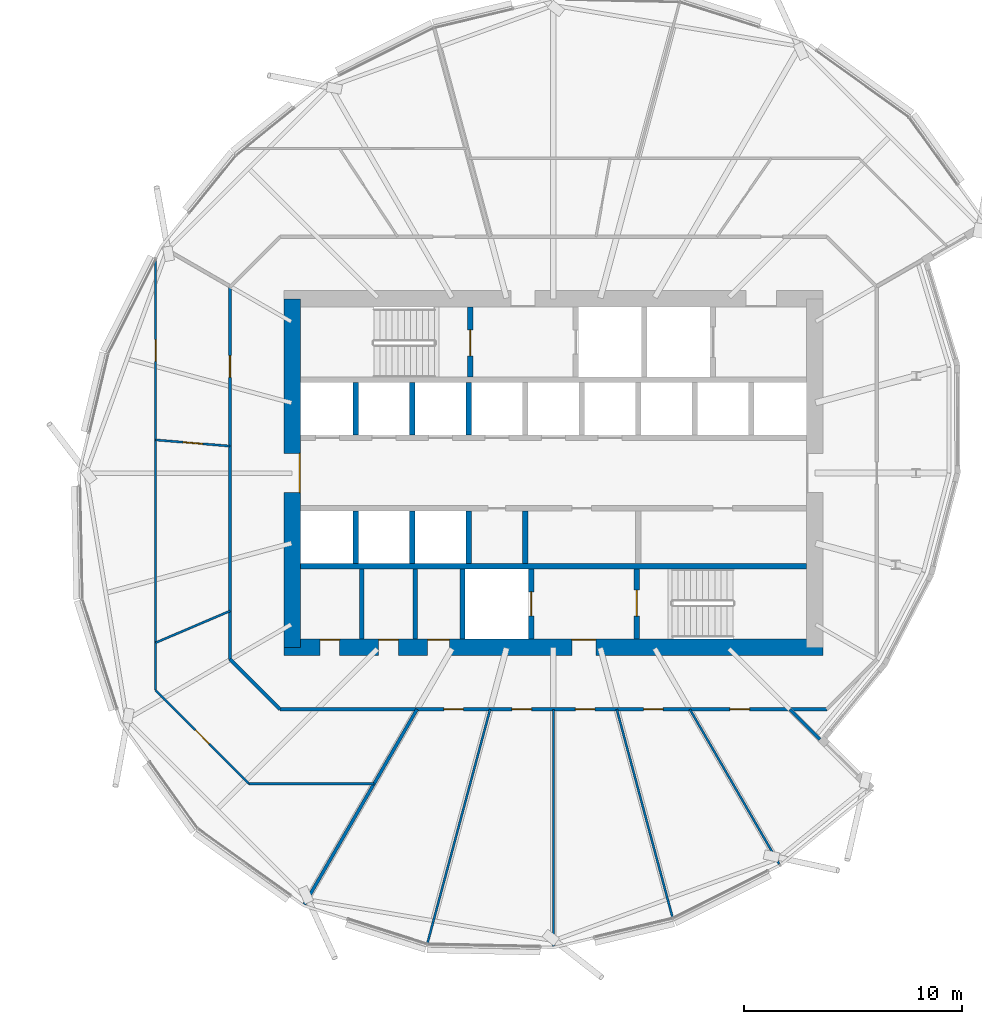
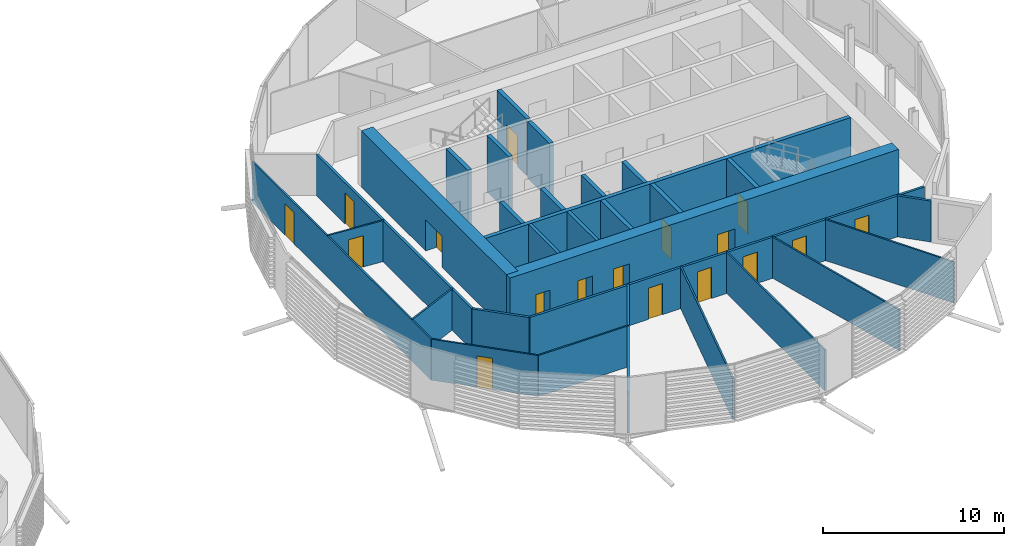
# One storey, part 23 of 38: 30 walls, 17 doors, 17 openings.
"""IFC4 building model written with IfcOpenShell, lengths in metres."""

import ifcopenshell
import ifcopenshell.guid

model = None  # the IFC model being written
_history = None  # IfcOwnerHistory: only IFC2X3 demands one
_inside = {}  # id of a spatial element -> (the spatial element, [elements in it])
_under = {}  # id of a project, library or spatial element -> (it, [spatial elements below it])
_declared = {}  # id of a project -> (the project, [libraries it declares])
_typed = {}  # id of a type object -> (the type object, [elements of that type])
_made_of = {}  # id of a material, layer set ... -> (it, [elements and type objects made of it])


def new_model(schema):
    """Start an empty IFC model of exactly this schema.

    Asked for "IFC4X3", IfcOpenShell would pick the latest addendum, in which some entities
    have other attributes; the version numbers below select the first issue.
    IFC2X3 requires an IfcOwnerHistory on every rooted entity: one is made here for all.
    """
    global model, _history
    if schema == "IFC4X3":
        model = ifcopenshell.file(schema_version=(4, 3, 0, 0))
    else:
        model = ifcopenshell.file(schema=schema)
    _inside.clear()
    _under.clear()
    _declared.clear()
    _typed.clear()
    _made_of.clear()
    _history = None
    if model.schema == "IFC2X3":
        org = make("IfcOrganization", Name="unknown")
        user = make(
            "IfcPersonAndOrganization",
            ThePerson=make("IfcPerson", FamilyName="unknown"),
            TheOrganization=org,
        )
        app = make(
            "IfcApplication",
            ApplicationDeveloper=org,
            Version="unknown",
            ApplicationFullName="unknown",
            ApplicationIdentifier="unknown",
        )
        _history = make(
            "IfcOwnerHistory",
            OwningUser=user,
            OwningApplication=app,
            ChangeAction="ADDED",
            CreationDate=0,
        )
    return model


def make(cls, **values):
    """One entity of the class cls with the attributes given. An attribute that is None is left unset."""
    return model.create_entity(
        cls, **{name: value for name, value in values.items() if value is not None}
    )


def rooted(cls, **values):
    """An entity with a GlobalId (a new one), such as an element, a storey or a relation."""
    return make(cls, GlobalId=ifcopenshell.guid.new(), OwnerHistory=_history, **values)


def si_unit(unit_type, name, prefix=None):
    """IfcSIUnit, for example si_unit("LENGTHUNIT", "METRE", prefix="MILLI")."""
    return make("IfcSIUnit", UnitType=unit_type, Prefix=prefix, Name=name)


def assignment(units):
    """IfcUnitAssignment: the units of a project."""
    return None if units is None else make("IfcUnitAssignment", Units=units)


def point(xyz):
    """IfcCartesianPoint."""
    return None if xyz is None else make("IfcCartesianPoint", Coordinates=xyz)


def direction(xyz):
    """IfcDirection."""
    return None if xyz is None else make("IfcDirection", DirectionRatios=xyz)


def frame(location, z_axis=None, x_axis=None):
    """IfcAxis2Placement3D, a coordinate frame: its origin and axes. An axis left out is left unset."""
    return make(
        "IfcAxis2Placement3D",
        Location=point(location),
        Axis=direction(z_axis),
        RefDirection=direction(x_axis),
    )


def frame_2d(location, x_axis=None):
    """IfcAxis2Placement2D, a coordinate frame in the plane: its origin and x axis."""
    return make(
        "IfcAxis2Placement2D", Location=point(location), RefDirection=direction(x_axis)
    )


def origin():
    """The frame at (0, 0, 0) with its axes left unset."""
    return frame((0.0, 0.0, 0.0))


def place(relative_to, where):
    """IfcLocalPlacement: puts the frame where relative to a parent placement (None: the world)."""
    return make(
        "IfcLocalPlacement", PlacementRelTo=relative_to, RelativePlacement=where
    )


def context(
    kind, dimensions, precision=None, world=None, true_north=None, identifier=None
):
    """IfcGeometricRepresentationContext, for example the 3D "Model" context."""
    return make(
        "IfcGeometricRepresentationContext",
        ContextIdentifier=identifier,
        ContextType=kind,
        CoordinateSpaceDimension=dimensions,
        Precision=precision,
        WorldCoordinateSystem=world,
        TrueNorth=true_north,
    )


def subcontext(parent, identifier, kind, view, scale=None):
    """IfcGeometricRepresentationSubContext, for example "Body" below "Model"."""
    return make(
        "IfcGeometricRepresentationSubContext",
        ContextIdentifier=identifier,
        ContextType=kind,
        ParentContext=parent,
        TargetScale=scale,
        TargetView=view,
    )


def project(units=None, contexts=None):
    """IfcProject with its units and contexts."""
    return rooted(
        "IfcProject",
        Name="project",
        RepresentationContexts=contexts,
        UnitsInContext=assignment(units),
    )


def spatial(cls, under=None, at=None, **own):
    """A site, building, storey or space (cls), placed at a placement, below another one or the project."""
    s = rooted(cls, ObjectPlacement=at, **own)
    if under is not None:
        _under.setdefault(under.id(), (under, []))[1].append(s)
    return s


def profile(cls, at=None, kind="AREA", **sizes):
    """A parametric profile (cls). Its sizes go by their IFC names, for example OverallWidth=200.0."""
    return make(cls, ProfileType=kind, Position=at, **sizes)


def rectangle(**sizes):
    """IfcRectangleProfileDef."""
    return profile("IfcRectangleProfileDef", **sizes)


def extrude(swept, where, along, depth):
    """IfcExtrudedAreaSolid: the profile swept, set in the frame where, extruded along a direction by depth."""
    return make(
        "IfcExtrudedAreaSolid",
        SweptArea=swept,
        Position=where,
        ExtrudedDirection=direction(along),
        Depth=depth,
    )


def shape(context_of_items, identifier, shape_type, items):
    """IfcShapeRepresentation: the items that make up one representation, for example the "Body"."""
    return make(
        "IfcShapeRepresentation",
        ContextOfItems=context_of_items,
        RepresentationIdentifier=identifier,
        RepresentationType=shape_type,
        Items=items,
    )


def material(Name=None, Category=None):
    """IfcMaterial."""
    return make("IfcMaterial", Name=Name, Category=Category)


def layer(
    of_material, thickness, ventilated=None, Name=None, Category=None, Priority=None
):
    """IfcMaterialLayer: one layer of a wall or slab, of a material (None: an air gap)."""
    return make(
        "IfcMaterialLayer",
        Material=of_material,
        LayerThickness=thickness,
        IsVentilated=ventilated,
        Name=Name,
        Category=Category,
        Priority=Priority,
    )


def layer_set(layers, Name=None):
    """IfcMaterialLayerSet."""
    return make("IfcMaterialLayerSet", MaterialLayers=layers, LayerSetName=Name)


def made_of(thing, what):
    """Note that an element or type object is made of a material, layer set ...; save() writes the relation."""
    if what is not None:
        _made_of.setdefault(what.id(), (what, []))[1].append(thing)
    return thing


def type_object(cls, material=None, **own):
    """A type object (cls), such as IfcWallType, which elements share."""
    return made_of(rooted(cls, **own), material)


def element(
    cls,
    number,
    at=None,
    inside=None,
    cuts=None,
    type_object=None,
    material=None,
    context=None,
    identifier="Body",
    shape_type=None,
    held_by="IfcProductDefinitionShape",
    body=None,
    shapes=None,
    **own,
):
    """One element of the class cls, such as IfcWall. Its Tag is "e" and its number.

    at: its placement. inside: the storey or other place that contains it. cuts: it is an
    opening in that element (IfcRelVoidsElement). A single representation is given by context,
    identifier, shape_type and body (its items); several are given by shapes. held_by: the class
    of the entity that holds the representations. save() writes the other relations.
    """
    e = rooted(cls, Tag="e%d" % number, ObjectPlacement=at, **own)
    if body is not None:
        shapes = [shape(context, identifier, shape_type, body)]
    if shapes is not None:
        e.Representation = make(held_by, Representations=shapes)
    if inside is not None:
        _inside.setdefault(inside.id(), (inside, []))[1].append(e)
    if cuts is not None:
        rooted(
            "IfcRelVoidsElement", RelatingBuildingElement=cuts, RelatedOpeningElement=e
        )
    if type_object is not None:
        _typed.setdefault(type_object.id(), (type_object, []))[1].append(e)
    return made_of(e, material)


def fill(opening, filler):
    """IfcRelFillsElement: the door or window that sits in an opening."""
    return rooted(
        "IfcRelFillsElement",
        RelatingOpeningElement=opening,
        RelatedBuildingElement=filler,
    )


def aggregate(whole, parts):
    """IfcRelAggregates: a whole, such as a stair, and the parts it consists of."""
    return rooted("IfcRelAggregates", RelatingObject=whole, RelatedObjects=parts)


def save(model, path):
    """Write the relations noted so far, then the file.

    IfcRelAggregates (storeys below a building ...), IfcRelContainedInSpatialStructure (elements
    in a storey), IfcRelDefinesByType, IfcRelAssociatesMaterial and IfcRelDeclares: one each for
    every whole, place, type object, material and project.
    """
    for whole, parts in _under.values():
        aggregate(whole, parts)
    for where, things in _inside.values():
        rooted(
            "IfcRelContainedInSpatialStructure",
            RelatedElements=things,
            RelatingStructure=where,
        )
    for kind, things in _typed.values():
        rooted("IfcRelDefinesByType", RelatedObjects=things, RelatingType=kind)
    for what, things in _made_of.values():
        rooted("IfcRelAssociatesMaterial", RelatedObjects=things, RelatingMaterial=what)
    for by, libraries in _declared.values():
        rooted("IfcRelDeclares", RelatingContext=by, RelatedDefinitions=libraries)
    model.write(path)


model = new_model("IFC4")

# Units and contexts
model_context = context("Model", 3, precision=1e-05, world=origin(), true_north=direction((0.0, 1.0)))
body_context = subcontext(model_context, "Body", "Model", "MODEL_VIEW")
ifc_project = project(units=[si_unit("LENGTHUNIT", "METRE"), si_unit("AREAUNIT", "SQUARE_METRE"), si_unit("VOLUMEUNIT", "CUBIC_METRE"), si_unit("PLANEANGLEUNIT", "RADIAN"), si_unit("MASSUNIT", "GRAM", prefix="KILO")], contexts=[model_context])

# Site, building, storey
site_placement = place(None, origin())
site = spatial("IfcSite", under=ifc_project, at=site_placement, CompositionType="ELEMENT")
building_placement = place(site_placement, origin())
building = spatial("IfcBuilding", under=site, at=building_placement, Name="Rimbun Link Towers", CompositionType="ELEMENT")
storey_placement = place(building_placement, frame((0.0, 0.0, 123.39990234375)))
storey = spatial("IfcBuildingStorey", under=building, at=storey_placement, Name="L30", CompositionType="ELEMENT", Elevation=123.39990234375)

# Walls
ifc_material_1 = material(Name="Masonry blockwork", Category="masonry")
ifc_layer_1 = layer(ifc_material_1, 0.199951171875)
ifc_layer_set_1 = layer_set([ifc_layer_1], Name="Core partition 200")
wall_type_1 = type_object("IfcWallType", Name="Core partition 200", PredefinedType="PARTITIONING", material=ifc_layer_set_1)
for number, where, z_axis, x_axis, name in (
    (1, (22.949951171875, -4.39990234375, 0.0), (0.0, 0.0, 1.0), (0.0, -1.0, 0.0), "L30 T2 core wall C1"),
    (2, (25.39990234375, -4.39990234375, 0.0), (0.0, 0.0, 1.0), (0.0, -1.0, 0.0), "L30 T2 core wall C2"),
):
    element("IfcWall", number, at=place(storey_placement, frame(where, z_axis=z_axis, x_axis=x_axis)), inside=storey, type_object=wall_type_1, Name=name, PredefinedType="PARTITIONING", context=body_context, shape_type="SweptSolid", body=[
        extrude(rectangle(XDim=3.22509765625, YDim=0.199951171875, at=frame_2d((1.612548828125, 0.0))), origin(), (0.0, 0.0, 1.0), 3.800048828125),
    ])

# Wall, openings, doors
ifc_material_2 = material(Name="Concrete C60/75", Category="concrete")
ifc_layer_2 = layer(ifc_material_2, 0.75)
ifc_layer_set_2 = layer_set([ifc_layer_2], Name="Core shear wall 750")
wall_type_2 = type_object("IfcWallType", Name="Core shear wall 750", PredefinedType="SHEAR", material=ifc_layer_set_2)
wall_1_placement = place(storey_placement, frame((19.375, -8.0, 0.0), z_axis=(0.0, 0.0, 1.0), x_axis=(1.0, 0.0, 0.0)))
wall_1 = element("IfcWall", 3, at=wall_1_placement, inside=storey, type_object=wall_type_2, Name="L30 T2 core wall S", PredefinedType="SHEAR", context=body_context, shape_type="SweptSolid", body=[
    extrude(rectangle(XDim=24.75, YDim=0.75, at=frame_2d((12.375, 0.0))), origin(), (0.0, 0.0, 1.0), 3.800048828125),
])
opening_1_placement = place(wall_1_placement, frame((13.22509765625, 0.0, 0.0)))
opening_1 = element("IfcOpeningElement", 4, at=opening_1_placement, cuts=wall_1, Name="Opening C2DCF01S", PredefinedType="OPENING", context=body_context, shape_type="SweptSolid", body=[
    extrude(rectangle(XDim=1.10009765625, YDim=2.10009765625, at=frame_2d((0.550048828125, 1.050048828125))), frame((0.0, 0.385009765625, 0.0), z_axis=(0.0, -1.0, 0.0), x_axis=(1.0, 0.0, 0.0)), (0.0, 0.0, 1.0), 0.77001953125),
])
opening_2_placement = place(wall_1_placement, frame((1.66259765625, 0.0, 0.0)))
opening_2 = element("IfcOpeningElement", 5, at=opening_2_placement, cuts=wall_1, Name="Opening C2DWC02S", PredefinedType="OPENING", context=body_context, shape_type="SweptSolid", body=[
    extrude(rectangle(XDim=0.89990234375, YDim=2.10009765625, at=frame_2d((0.449951171875, 1.050048828125))), frame((0.0, 0.385009765625, 0.0), z_axis=(0.0, -1.0, 0.0), x_axis=(1.0, 0.0, 0.0)), (0.0, 0.0, 1.0), 0.77001953125),
])
opening_3_placement = place(wall_1_placement, frame((4.35009765625, 0.0, 0.0)))
opening_3 = element("IfcOpeningElement", 6, at=opening_3_placement, cuts=wall_1, Name="Opening C2DWC03S", PredefinedType="OPENING", context=body_context, shape_type="SweptSolid", body=[
    extrude(rectangle(XDim=0.89990234375, YDim=2.10009765625, at=frame_2d((0.449951171875, 1.050048828125))), frame((0.0, 0.385009765625, 0.0), z_axis=(0.0, -1.0, 0.0), x_axis=(1.0, 0.0, 0.0)), (0.0, 0.0, 1.0), 0.77001953125),
])
opening_4_placement = place(wall_1_placement, frame((6.60009765625, 0.0, 0.0)))
opening_4 = element("IfcOpeningElement", 7, at=opening_4_placement, cuts=wall_1, Name="Opening C2DAW04S", PredefinedType="OPENING", context=body_context, shape_type="SweptSolid", body=[
    extrude(rectangle(XDim=1.0, YDim=2.10009765625, at=frame_2d((0.5, 1.050048828125))), frame((0.0, 0.385009765625, 0.0), z_axis=(0.0, -1.0, 0.0), x_axis=(1.0, 0.0, 0.0)), (0.0, 0.0, 1.0), 0.77001953125),
])
ifc_material_3 = material(Name="Timber", Category="wood")
door_type_1 = type_object("IfcDoorType", Name="Accessible WC door", OperationType="SINGLE_SWING_LEFT", PredefinedType="DOOR", material=ifc_material_3)
door_1_placement = place(opening_4_placement, origin())
door_1 = element("IfcDoor", 8, at=door_1_placement, inside=storey, type_object=door_type_1, Name="L30 T2 accessible wc door", OperationType="SINGLE_SWING_RIGHT", OverallHeight=2.10009765625, OverallWidth=1.0, PredefinedType="DOOR", context=body_context, shape_type="SweptSolid", body=[
    extrude(rectangle(XDim=1.0, YDim=2.10009765625, at=frame_2d((0.5, 1.050048828125))), frame((0.0, 0.375, 0.0), z_axis=(0.0, -1.0, 0.0), x_axis=(1.0, 0.0, 0.0)), (0.0, 0.0, 1.0), 0.050048828125),
])
fill(opening_4, door_1)
ifc_material_4 = material(Name="Steel fire door set", Category="steel")
door_type_2 = type_object("IfcDoorType", Name="Core fire door single", OperationType="SINGLE_SWING_LEFT", PredefinedType="DOOR", material=ifc_material_4)
door_2_placement = place(opening_1_placement, origin())
door_2 = element("IfcDoor", 9, at=door_2_placement, inside=storey, type_object=door_type_2, Name="L30 T2 firefighting lobby s door", OperationType="SINGLE_SWING_LEFT", OverallHeight=2.10009765625, OverallWidth=1.10009765625, PredefinedType="DOOR", context=body_context, shape_type="SweptSolid", body=[
    extrude(rectangle(XDim=1.10009765625, YDim=2.10009765625, at=frame_2d((0.550048828125, 1.050048828125))), frame((0.0, 0.375, 0.0), z_axis=(0.0, -1.0, 0.0), x_axis=(1.0, 0.0, 0.0)), (0.0, 0.0, 1.0), 0.050048828125),
])
fill(opening_1, door_2)
ifc_material_5 = material(Name="Timber", Category="wood")
door_type_3 = type_object("IfcDoorType", Name="WC door", OperationType="SINGLE_SWING_LEFT", PredefinedType="DOOR", material=ifc_material_5)
door_3_placement = place(opening_2_placement, origin())
door_3 = element("IfcDoor", 10, at=door_3_placement, inside=storey, type_object=door_type_3, Name="L30 T2 male wc door", OperationType="SINGLE_SWING_RIGHT", OverallHeight=2.10009765625, OverallWidth=0.89990234375, PredefinedType="DOOR", context=body_context, shape_type="SweptSolid", body=[
    extrude(rectangle(XDim=0.89990234375, YDim=2.10009765625, at=frame_2d((0.449951171875, 1.050048828125))), frame((0.0, 0.375, 0.0), z_axis=(0.0, -1.0, 0.0), x_axis=(1.0, 0.0, 0.0)), (0.0, 0.0, 1.0), 0.050048828125),
])
fill(opening_2, door_3)
door_4_placement = place(opening_3_placement, origin())
door_4 = element("IfcDoor", 11, at=door_4_placement, inside=storey, type_object=door_type_3, Name="L30 T2 female wc door", OperationType="SINGLE_SWING_RIGHT", OverallHeight=2.10009765625, OverallWidth=0.89990234375, PredefinedType="DOOR", context=body_context, shape_type="SweptSolid", body=[
    extrude(rectangle(XDim=0.89990234375, YDim=2.10009765625, at=frame_2d((0.449951171875, 1.050048828125))), frame((0.0, 0.375, 0.0), z_axis=(0.0, -1.0, 0.0), x_axis=(1.0, 0.0, 0.0)), (0.0, 0.0, 1.0), 0.050048828125),
])
fill(opening_3, door_4)

# Wall, opening, door
wall_2_placement = place(storey_placement, frame((19.75, -8.0, 0.0), z_axis=(0.0, 0.0, 1.0), x_axis=(0.0, 1.0, 0.0)))
wall_2 = element("IfcWall", 12, at=wall_2_placement, inside=storey, type_object=wall_type_2, Name="L30 T2 core wall W", PredefinedType="SHEAR", context=body_context, shape_type="SweptSolid", body=[
    extrude(rectangle(XDim=16.0, YDim=0.75, at=frame_2d((8.0, 0.0))), origin(), (0.0, 0.0, 1.0), 3.800048828125),
])
opening_5_placement = place(wall_2_placement, frame((7.10009765625, 0.0, 0.0)))
opening_5 = element("IfcOpeningElement", 13, at=opening_5_placement, cuts=wall_2, Name="Opening C2DCL01W", PredefinedType="OPENING", context=body_context, shape_type="SweptSolid", body=[
    extrude(rectangle(XDim=1.800048828125, YDim=2.10009765625, at=frame_2d((0.89990234375, 1.050048828125))), frame((0.0, 0.385009765625, 0.0), z_axis=(0.0, -1.0, 0.0), x_axis=(1.0, 0.0, 0.0)), (0.0, 0.0, 1.0), 0.77001953125),
])
ifc_material_6 = material(Name="Steel fire door set", Category="steel")
door_type_4 = type_object("IfcDoorType", Name="Core lobby door double", OperationType="DOUBLE_DOOR_SINGLE_SWING", PredefinedType="DOOR", material=ifc_material_6)
door_5_placement = place(opening_5_placement, origin())
door_5 = element("IfcDoor", 14, at=door_5_placement, inside=storey, type_object=door_type_4, Name="L30 T2 lift lobby door", OperationType="DOUBLE_DOOR_SINGLE_SWING", OverallHeight=2.10009765625, OverallWidth=1.800048828125, PredefinedType="DOOR", context=body_context, shape_type="SweptSolid", body=[
    extrude(rectangle(XDim=1.800048828125, YDim=2.10009765625, at=frame_2d((0.89990234375, 1.050048828125))), frame((0.0, -0.3251953125, 0.0), z_axis=(0.0, -1.0, 0.0), x_axis=(1.0, 0.0, 0.0)), (0.0, 0.0, 1.0), 0.050048828125),
])
fill(opening_5, door_5)

# Wall, openings, doors
ifc_material_7 = material(Name="Plasterboard on steel stud, mineral wool", Category="steel")
ifc_layer_3 = layer(ifc_material_7, 0.14990234375)
ifc_layer_set_3 = layer_set([ifc_layer_3], Name="Corridor wall EI 30 150 mm")
wall_type_3 = type_object("IfcWallType", Name="Corridor wall EI 30 150 mm", PredefinedType="PARTITIONING", material=ifc_layer_set_3)
wall_3_placement = place(storey_placement, frame((44.3017578125, -10.85009765625, 0.0), z_axis=(0.0, 0.0, 1.0), x_axis=(-1.0, 0.0, 0.0)))
wall_3 = element("IfcWall", 15, at=wall_3_placement, inside=storey, type_object=wall_type_3, Name="Corridor wall EI 30 150 mm", PredefinedType="PARTITIONING", context=body_context, shape_type="SweptSolid", body=[
    extrude(rectangle(XDim=25.103515625, YDim=0.14990234375, at=frame_2d((12.5517578125, 0.0))), origin(), (0.0, 0.0, 1.0), 2.759033203125),
])
opening_6_placement = place(wall_3_placement, frame((16.6875, 0.0, 0.0)))
opening_6 = element("IfcOpeningElement", 16, at=opening_6_placement, cuts=wall_3, Name="Opening D02", PredefinedType="OPENING", context=body_context, shape_type="SweptSolid", body=[
    extrude(rectangle(XDim=0.89990234375, YDim=2.10009765625, at=frame_2d((0.449951171875, 1.050048828125))), frame((0.0, 0.0849609375, 0.0), z_axis=(0.0, -1.0, 0.0), x_axis=(1.0, 0.0, 0.0)), (0.0, 0.0, 1.0), 0.169921875),
])
opening_7_placement = place(wall_3_placement, frame((13.555419921875, 0.0, 0.0)))
opening_7 = element("IfcOpeningElement", 17, at=opening_7_placement, cuts=wall_3, Name="Opening D02", PredefinedType="OPENING", context=body_context, shape_type="SweptSolid", body=[
    extrude(rectangle(XDim=0.89990234375, YDim=2.10009765625, at=frame_2d((0.449951171875, 1.050048828125))), frame((0.0, 0.0849609375, 0.0), z_axis=(0.0, -1.0, 0.0), x_axis=(1.0, 0.0, 0.0)), (0.0, 0.0, 1.0), 0.169921875),
])
opening_8_placement = place(wall_3_placement, frame((10.648193359375, 0.0, 0.0)))
opening_8 = element("IfcOpeningElement", 18, at=opening_8_placement, cuts=wall_3, Name="Opening D02", PredefinedType="OPENING", context=body_context, shape_type="SweptSolid", body=[
    extrude(rectangle(XDim=0.89990234375, YDim=2.10009765625, at=frame_2d((0.449951171875, 1.050048828125))), frame((0.0, 0.0849609375, 0.0), z_axis=(0.0, -1.0, 0.0), x_axis=(1.0, 0.0, 0.0)), (0.0, 0.0, 1.0), 0.169921875),
])
opening_9_placement = place(wall_3_placement, frame((7.515869140625, 0.0, 0.0)))
opening_9 = element("IfcOpeningElement", 19, at=opening_9_placement, cuts=wall_3, Name="Opening D02", PredefinedType="OPENING", context=body_context, shape_type="SweptSolid", body=[
    extrude(rectangle(XDim=0.89990234375, YDim=2.10009765625, at=frame_2d((0.449951171875, 1.050048828125))), frame((0.0, 0.0849609375, 0.0), z_axis=(0.0, -1.0, 0.0), x_axis=(1.0, 0.0, 0.0)), (0.0, 0.0, 1.0), 0.169921875),
])
opening_10_placement = place(wall_3_placement, frame((3.544677734375, 0.0, 0.0)))
opening_10 = element("IfcOpeningElement", 20, at=opening_10_placement, cuts=wall_3, Name="Opening D02", PredefinedType="OPENING", context=body_context, shape_type="SweptSolid", body=[
    extrude(rectangle(XDim=0.89990234375, YDim=2.10009765625, at=frame_2d((0.449951171875, 1.050048828125))), frame((0.0, 0.0849609375, 0.0), z_axis=(0.0, -1.0, 0.0), x_axis=(1.0, 0.0, 0.0)), (0.0, 0.0, 1.0), 0.169921875),
])
ifc_material_8 = material(Name="Fire-resisting timber door leaf", Category="wood")
door_type_5 = type_object("IfcDoorType", Name="Fire door FD30S 900", OperationType="NOTDEFINED", PredefinedType="DOOR", material=ifc_material_8)
door_6_placement = place(opening_6_placement, origin())
door_6 = element("IfcDoor", 21, at=door_6_placement, inside=storey, type_object=door_type_5, Name="Fire door FD30S 900 to Cellular office", OperationType="SINGLE_SWING_RIGHT", OverallHeight=2.10009765625, OverallWidth=0.89990234375, PredefinedType="DOOR", context=body_context, shape_type="SweptSolid", body=[
    extrude(rectangle(XDim=0.89990234375, YDim=2.10009765625, at=frame_2d((0.449951171875, 1.050048828125))), frame((0.0, 0.02490234375, 0.0), z_axis=(0.0, -1.0, 0.0), x_axis=(1.0, 0.0, 0.0)), (0.0, 0.0, 1.0), 0.050048828125),
])
fill(opening_6, door_6)
door_7_placement = place(opening_7_placement, origin())
door_7 = element("IfcDoor", 22, at=door_7_placement, inside=storey, type_object=door_type_5, Name="Fire door FD30S 900 to Cellular office", OperationType="SINGLE_SWING_LEFT", OverallHeight=2.10009765625, OverallWidth=0.89990234375, PredefinedType="DOOR", context=body_context, shape_type="SweptSolid", body=[
    extrude(rectangle(XDim=0.89990234375, YDim=2.10009765625, at=frame_2d((0.449951171875, 1.050048828125))), frame((0.0, 0.02490234375, 0.0), z_axis=(0.0, -1.0, 0.0), x_axis=(1.0, 0.0, 0.0)), (0.0, 0.0, 1.0), 0.050048828125),
])
fill(opening_7, door_7)
door_8_placement = place(opening_8_placement, origin())
door_8 = element("IfcDoor", 23, at=door_8_placement, inside=storey, type_object=door_type_5, Name="Fire door FD30S 900 to Cellular office", OperationType="SINGLE_SWING_RIGHT", OverallHeight=2.10009765625, OverallWidth=0.89990234375, PredefinedType="DOOR", context=body_context, shape_type="SweptSolid", body=[
    extrude(rectangle(XDim=0.89990234375, YDim=2.10009765625, at=frame_2d((0.449951171875, 1.050048828125))), frame((0.0, 0.02490234375, 0.0), z_axis=(0.0, -1.0, 0.0), x_axis=(1.0, 0.0, 0.0)), (0.0, 0.0, 1.0), 0.050048828125),
])
fill(opening_8, door_8)
door_9_placement = place(opening_9_placement, origin())
door_9 = element("IfcDoor", 24, at=door_9_placement, inside=storey, type_object=door_type_5, Name="Fire door FD30S 900 to Cellular office", OperationType="SINGLE_SWING_LEFT", OverallHeight=2.10009765625, OverallWidth=0.89990234375, PredefinedType="DOOR", context=body_context, shape_type="SweptSolid", body=[
    extrude(rectangle(XDim=0.89990234375, YDim=2.10009765625, at=frame_2d((0.449951171875, 1.050048828125))), frame((0.0, 0.02490234375, 0.0), z_axis=(0.0, -1.0, 0.0), x_axis=(1.0, 0.0, 0.0)), (0.0, 0.0, 1.0), 0.050048828125),
])
fill(opening_9, door_9)
door_10_placement = place(opening_10_placement, origin())
door_10 = element("IfcDoor", 25, at=door_10_placement, inside=storey, type_object=door_type_5, Name="Fire door FD30S 900 to Meeting room", OperationType="SINGLE_SWING_RIGHT", OverallHeight=2.10009765625, OverallWidth=0.89990234375, PredefinedType="DOOR", context=body_context, shape_type="SweptSolid", body=[
    extrude(rectangle(XDim=0.89990234375, YDim=2.10009765625, at=frame_2d((0.449951171875, 1.050048828125))), frame((0.0, 0.02490234375, 0.0), z_axis=(0.0, -1.0, 0.0), x_axis=(1.0, 0.0, 0.0)), (0.0, 0.0, 1.0), 0.050048828125),
])
fill(opening_10, door_10)

# Wall
wall_4_placement = place(storey_placement, frame((16.89990234375, -8.5517578125, 0.0), z_axis=(0.0, 0.0, 1.0), x_axis=(0.707106781187, -0.707106781187, 0.0)))
element("IfcWall", 26, at=wall_4_placement, inside=storey, type_object=wall_type_3, Name="Corridor wall EI 30 150 mm", PredefinedType="PARTITIONING", context=body_context, shape_type="SweptSolid", body=[
    extrude(rectangle(XDim=3.250244140625, YDim=0.14990234375, at=frame_2d((1.625, 0.0))), origin(), (0.0, 0.0, 1.0), 2.759033203125),
])

# Wall, opening, door
wall_5_placement = place(storey_placement, frame((16.89990234375, -8.5517578125, 0.0), z_axis=(0.0, 0.0, 1.0), x_axis=(0.0, 1.0, 0.0)))
wall_5 = element("IfcWall", 27, at=wall_5_placement, inside=storey, type_object=wall_type_3, Name="Corridor wall EI 30 150 mm", PredefinedType="PARTITIONING", context=body_context, shape_type="SweptSolid", body=[
    extrude(rectangle(XDim=17.103515625, YDim=0.14990234375, at=frame_2d((8.5517578125, 0.0))), origin(), (0.0, 0.0, 1.0), 2.759033203125),
])
opening_11_placement = place(wall_5_placement, frame((12.9453125, 0.0, 0.0)))
opening_11 = element("IfcOpeningElement", 28, at=opening_11_placement, cuts=wall_5, Name="Opening D01", PredefinedType="OPENING", context=body_context, shape_type="SweptSolid", body=[
    extrude(rectangle(XDim=1.0, YDim=2.10009765625, at=frame_2d((0.5, 1.050048828125))), frame((0.0, 0.0849609375, 0.0), z_axis=(0.0, -1.0, 0.0), x_axis=(1.0, 0.0, 0.0)), (0.0, 0.0, 1.0), 0.169921875),
])
ifc_material_9 = material(Name="Fire-resisting timber door leaf", Category="wood")
door_type_6 = type_object("IfcDoorType", Name="Fire door FD30S 1000", OperationType="NOTDEFINED", PredefinedType="DOOR", material=ifc_material_9)
door_11_placement = place(opening_11_placement, origin())
door_11 = element("IfcDoor", 29, at=door_11_placement, inside=storey, type_object=door_type_6, Name="Fire door FD30S 1000 to Reception", OperationType="SINGLE_SWING_LEFT", OverallHeight=2.10009765625, OverallWidth=1.0, PredefinedType="DOOR", context=body_context, shape_type="SweptSolid", body=[
    extrude(rectangle(XDim=1.0, YDim=2.10009765625, at=frame_2d((0.5, 1.050048828125))), frame((0.0, 0.02490234375, 0.0), z_axis=(0.0, -1.0, 0.0), x_axis=(1.0, 0.0, 0.0)), (0.0, 0.0, 1.0), 0.050048828125),
])
fill(opening_11, door_11)

ifc_material_10 = material(Name="Plasterboard on steel stud", Category="steel")
ifc_layer_4 = layer(ifc_material_10, 0.10009765625)
ifc_layer_set_4 = layer_set([ifc_layer_4], Name="Plasterboard partition 100 mm")
wall_type_4 = type_object("IfcWallType", Name="Plasterboard partition 100 mm", PredefinedType="PARTITIONING", material=ifc_layer_set_4)
wall_6_placement = place(storey_placement, frame((16.89990234375, 1.23583984375, 0.0), z_axis=(0.0, 0.0, 1.0), x_axis=(-0.996553603916, 0.082951277996, 0.0)))
wall_6 = element("IfcWall", 30, at=wall_6_placement, inside=storey, type_object=wall_type_4, Name="Plasterboard partition 100 mm", PredefinedType="PARTITIONING", context=body_context, shape_type="SweptSolid", body=[
    extrude(rectangle(XDim=3.431640625, YDim=0.10009765625, at=frame_2d((1.7158203125, 0.0))), origin(), (0.0, 0.0, 1.0), 2.759033203125),
])
opening_12_placement = place(wall_6_placement, frame((1.265869140625, 0.0, 0.0)))
opening_12 = element("IfcOpeningElement", 31, at=opening_12_placement, cuts=wall_6, Name="Opening D04", PredefinedType="OPENING", context=body_context, shape_type="SweptSolid", body=[
    extrude(rectangle(XDim=0.89990234375, YDim=2.10009765625, at=frame_2d((0.449951171875, 1.050048828125))), frame((0.0, 0.06005859375, 0.0), z_axis=(0.0, -1.0, 0.0), x_axis=(1.0, 0.0, 0.0)), (0.0, 0.0, 1.0), 0.1201171875),
])
ifc_material_11 = material(Name="Timber door leaf", Category="wood")
door_type_7 = type_object("IfcDoorType", Name="Flush door 900", OperationType="NOTDEFINED", PredefinedType="DOOR", material=ifc_material_11)
door_12_placement = place(opening_12_placement, origin())
door_12 = element("IfcDoor", 32, at=door_12_placement, inside=storey, type_object=door_type_7, Name="Flush door 900 to Meeting room", OperationType="SINGLE_SWING_LEFT", OverallHeight=2.10009765625, OverallWidth=0.89990234375, PredefinedType="DOOR", context=body_context, shape_type="SweptSolid", body=[
    extrude(rectangle(XDim=0.89990234375, YDim=2.10009765625, at=frame_2d((0.449951171875, 1.050048828125))), frame((0.0, 0.02490234375, 0.0), z_axis=(0.0, -1.0, 0.0), x_axis=(1.0, 0.0, 0.0)), (0.0, 0.0, 1.0), 0.050048828125),
])
fill(opening_12, door_12)

wall_7_placement = place(storey_placement, frame((13.47998046875, -9.96826171875, 0.0), z_axis=(0.0, 0.0, 1.0), x_axis=(0.0, 1.0, 0.0)))
wall_7 = element("IfcWall", 33, at=wall_7_placement, inside=storey, type_object=wall_type_4, Name="Plasterboard partition 100 mm", PredefinedType="PARTITIONING", context=body_context, shape_type="SweptSolid", body=[
    extrude(rectangle(XDim=19.724609375, YDim=0.10009765625, at=frame_2d((9.8623046875, 0.0))), origin(), (0.0, 0.0, 1.0), 2.759033203125),
])
opening_13_placement = place(wall_7_placement, frame((15.091552734375, 0.0, 0.0)))
opening_13 = element("IfcOpeningElement", 34, at=opening_13_placement, cuts=wall_7, Name="Opening D03", PredefinedType="OPENING", context=body_context, shape_type="SweptSolid", body=[
    extrude(rectangle(XDim=1.0, YDim=2.10009765625, at=frame_2d((0.5, 1.050048828125))), frame((0.0, 0.06005859375, 0.0), z_axis=(0.0, -1.0, 0.0), x_axis=(1.0, 0.0, 0.0)), (0.0, 0.0, 1.0), 0.1201171875),
])
ifc_material_12 = material(Name="Timber door leaf", Category="wood")
door_type_8 = type_object("IfcDoorType", Name="Flush door 1000", OperationType="NOTDEFINED", PredefinedType="DOOR", material=ifc_material_12)
door_13_placement = place(opening_13_placement, origin())
door_13 = element("IfcDoor", 35, at=door_13_placement, inside=storey, type_object=door_type_8, Name="Flush door 1000 to Open office", OperationType="SINGLE_SWING_RIGHT", OverallHeight=2.10009765625, OverallWidth=1.0, PredefinedType="DOOR", context=body_context, shape_type="SweptSolid", body=[
    extrude(rectangle(XDim=1.0, YDim=2.10009765625, at=frame_2d((0.5, 1.050048828125))), frame((0.0, 0.02490234375, 0.0), z_axis=(0.0, -1.0, 0.0), x_axis=(1.0, 0.0, 0.0)), (0.0, 0.0, 1.0), 0.050048828125),
])
fill(opening_13, door_13)

# Wall
wall_8_placement = place(storey_placement, frame((13.47998046875, -7.793701171875, 0.0), z_axis=(0.0, 0.0, 1.0), x_axis=(0.919795864037, 0.392397207559, 0.0)))
element("IfcWall", 36, at=wall_8_placement, inside=storey, type_object=wall_type_4, Name="Plasterboard partition 100 mm", PredefinedType="PARTITIONING", context=body_context, shape_type="SweptSolid", body=[
    extrude(rectangle(XDim=3.718017578125, YDim=0.10009765625, at=frame_2d((1.85888671875, 0.0))), origin(), (0.0, 0.0, 1.0), 2.759033203125),
])

# Wall, opening, door
wall_9_placement = place(storey_placement, frame((13.47998046875, -9.96826171875, 0.0), z_axis=(0.0, 0.0, 1.0), x_axis=(0.707106781187, -0.707106781187, 0.0)))
wall_9 = element("IfcWall", 37, at=wall_9_placement, inside=storey, type_object=wall_type_4, Name="Plasterboard partition 100 mm", PredefinedType="PARTITIONING", context=body_context, shape_type="SweptSolid", body=[
    extrude(rectangle(XDim=6.08349609375, YDim=0.10009765625, at=frame_2d((3.041748046875, 0.0))), origin(), (0.0, 0.0, 1.0), 2.759033203125),
])
opening_14_placement = place(wall_9_placement, frame((2.591796875, 0.0, 0.0)))
opening_14 = element("IfcOpeningElement", 38, at=opening_14_placement, cuts=wall_9, Name="Opening D04", PredefinedType="OPENING", context=body_context, shape_type="SweptSolid", body=[
    extrude(rectangle(XDim=0.89990234375, YDim=2.10009765625, at=frame_2d((0.449951171875, 1.050048828125))), frame((0.0, 0.06005859375, 0.0), z_axis=(0.0, -1.0, 0.0), x_axis=(1.0, 0.0, 0.0)), (0.0, 0.0, 1.0), 0.1201171875),
])
door_14_placement = place(opening_14_placement, origin())
door_14 = element("IfcDoor", 39, at=door_14_placement, inside=storey, type_object=door_type_7, Name="Flush door 900 to Print room", OperationType="SINGLE_SWING_LEFT", OverallHeight=2.10009765625, OverallWidth=0.89990234375, PredefinedType="DOOR", context=body_context, shape_type="SweptSolid", body=[
    extrude(rectangle(XDim=0.89990234375, YDim=2.10009765625, at=frame_2d((0.449951171875, 1.050048828125))), frame((0.0, 0.02490234375, 0.0), z_axis=(0.0, -1.0, 0.0), x_axis=(1.0, 0.0, 0.0)), (0.0, 0.0, 1.0), 0.050048828125),
])
fill(opening_14, door_14)

# Walls
wall_10_placement = place(storey_placement, frame((17.78173828125, -14.27001953125, 0.0), z_axis=(0.0, 0.0, 1.0), x_axis=(1.0, 0.0, 0.0)))
element("IfcWall", 40, at=wall_10_placement, inside=storey, type_object=wall_type_4, Name="Plasterboard partition 100 mm", PredefinedType="PARTITIONING", context=body_context, shape_type="SweptSolid", body=[
    extrude(rectangle(XDim=5.7294921875, YDim=0.10009765625, at=frame_2d((2.86474609375, 0.0))), origin(), (0.0, 0.0, 1.0), 2.759033203125),
])
wall_11_placement = place(storey_placement, frame((25.960205078125, -21.6083984375, 0.0), z_axis=(0.0, 0.0, 1.0), x_axis=(0.258809859966, 0.965928287392, 0.0)))
element("IfcWall", 41, at=wall_11_placement, inside=storey, type_object=wall_type_4, Name="Plasterboard partition 100 mm", PredefinedType="PARTITIONING", context=body_context, shape_type="SweptSolid", body=[
    extrude(rectangle(XDim=11.1376953125, YDim=0.10009765625, at=frame_2d((5.56884765625, 0.0))), origin(), (0.0, 0.0, 1.0), 2.759033203125),
])
wall_12_placement = place(storey_placement, frame((31.75, -21.730224609375, 0.0), z_axis=(0.0, 0.0, 1.0), x_axis=(0.0, 1.0, 0.0)))
element("IfcWall", 42, at=wall_12_placement, inside=storey, type_object=wall_type_4, Name="Plasterboard partition 100 mm", PredefinedType="PARTITIONING", context=body_context, shape_type="SweptSolid", body=[
    extrude(rectangle(XDim=10.880126953125, YDim=0.10009765625, at=frame_2d((5.43994140625, 0.0))), origin(), (0.0, 0.0, 1.0), 2.759033203125),
])
wall_13_placement = place(storey_placement, frame((37.221923828125, -20.421630859375, 0.0), z_axis=(0.0, 0.0, 1.0), x_axis=(-0.258820238395, 0.965925506547, 0.0)))
element("IfcWall", 43, at=wall_13_placement, inside=storey, type_object=wall_type_4, Name="Plasterboard partition 100 mm", PredefinedType="PARTITIONING", context=body_context, shape_type="SweptSolid", body=[
    extrude(rectangle(XDim=9.9091796875, YDim=0.10009765625, at=frame_2d((4.95458984375, 0.0))), origin(), (0.0, 0.0, 1.0), 2.759033203125),
])
wall_14_placement = place(storey_placement, frame((42.1201171875, -17.961669921875, 0.0), z_axis=(0.0, 0.0, 1.0), x_axis=(-0.499985818453, 0.866033591349, 0.0)))
element("IfcWall", 44, at=wall_14_placement, inside=storey, type_object=wall_type_4, Name="Plasterboard partition 100 mm", PredefinedType="PARTITIONING", context=body_context, shape_type="SweptSolid", body=[
    extrude(rectangle(XDim=8.211669921875, YDim=0.10009765625, at=frame_2d((4.10595703125, 0.0))), origin(), (0.0, 0.0, 1.0), 2.759033203125),
])
ifc_material_13 = material(Name="Concrete C60/75", Category="concrete")
ifc_layer_5 = layer(ifc_material_13, 0.25)
ifc_layer_set_5 = layer_set([ifc_layer_5], Name="Shaft wall 250")
wall_type_5 = type_object("IfcWallType", Name="Shaft wall 250", PredefinedType="SHEAR", material=ifc_layer_set_5)
wall_15_placement = place(storey_placement, frame((20.125, -4.27490234375, 0.0), z_axis=(0.0, 0.0, 1.0), x_axis=(1.0, 0.0, 0.0)))
element("IfcWall", 45, at=wall_15_placement, inside=storey, type_object=wall_type_5, Name="L30 T2 core wall BS", PredefinedType="SHEAR", context=body_context, shape_type="SweptSolid", body=[
    extrude(rectangle(XDim=23.25, YDim=0.25, at=frame_2d((11.625, 0.0))), origin(), (0.0, 0.0, 1.0), 3.800048828125),
])
for number, where, z_axis, x_axis, name in (
    (46, (22.66943359375, 1.75, 0.0), (0.0, 0.0, 1.0), (0.0, 1.0, 0.0), "L30 T2 core wall DN0"),
    (47, (25.263916015625, 1.75, 0.0), (0.0, 0.0, 1.0), (0.0, 1.0, 0.0), "L30 T2 core wall DN1"),
    (48, (27.8583984375, 1.75, 0.0), (0.0, 0.0, 1.0), (0.0, 1.0, 0.0), "L30 T2 core wall DN2"),
    (49, (22.66943359375, -4.14990234375, 0.0), (0.0, 0.0, 1.0), (0.0, 1.0, 0.0), "L30 T2 core wall DS0"),
    (50, (25.263916015625, -4.14990234375, 0.0), (0.0, 0.0, 1.0), (0.0, 1.0, 0.0), "L30 T2 core wall DS1"),
    (51, (27.8583984375, -4.14990234375, 0.0), (0.0, 0.0, 1.0), (0.0, 1.0, 0.0), "L30 T2 core wall DS2"),
    (52, (30.452880859375, -4.14990234375, 0.0), (0.0, 0.0, 1.0), (0.0, 1.0, 0.0), "L30 T2 core wall DS3"),
):
    element("IfcWall", number, at=place(storey_placement, frame(where, z_axis=z_axis, x_axis=x_axis)), inside=storey, type_object=wall_type_5, Name=name, PredefinedType="SHEAR", context=body_context, shape_type="SweptSolid", body=[
        extrude(rectangle(XDim=2.39990234375, YDim=0.25, at=frame_2d((1.199951171875, 0.0))), origin(), (0.0, 0.0, 1.0), 3.800048828125),
    ])

# Wall, opening, door
wall_16_placement = place(storey_placement, frame((27.925048828125, 4.39990234375, 0.0), z_axis=(0.0, 0.0, 1.0), x_axis=(0.0, 1.0, 0.0)))
wall_16 = element("IfcWall", 53, at=wall_16_placement, inside=storey, type_object=wall_type_5, Name="L30 T2 core wall A1", PredefinedType="SHEAR", context=body_context, shape_type="SweptSolid", body=[
    extrude(rectangle(XDim=3.22509765625, YDim=0.25, at=frame_2d((1.612548828125, 0.0))), origin(), (0.0, 0.0, 1.0), 3.800048828125),
])
opening_15_placement = place(wall_16_placement, frame((0.97509765625, 0.0, 0.0)))
opening_15 = element("IfcOpeningElement", 54, at=opening_15_placement, cuts=wall_16, Name="Opening C2DST01A1", PredefinedType="OPENING", context=body_context, shape_type="SweptSolid", body=[
    extrude(rectangle(XDim=1.199951171875, YDim=2.10009765625, at=frame_2d((0.60009765625, 1.050048828125))), frame((0.0, 0.135009765625, 0.0), z_axis=(0.0, -1.0, 0.0), x_axis=(1.0, 0.0, 0.0)), (0.0, 0.0, 1.0), 0.27001953125),
])
ifc_material_14 = material(Name="Steel fire door set", Category="steel")
door_type_9 = type_object("IfcDoorType", Name="Stair door", OperationType="SINGLE_SWING_LEFT", PredefinedType="DOOR", material=ifc_material_14)
door_15_placement = place(opening_15_placement, origin())
door_15 = element("IfcDoor", 55, at=door_15_placement, inside=storey, type_object=door_type_9, Name="L30 T2 stair a door", OperationType="SINGLE_SWING_LEFT", OverallHeight=2.10009765625, OverallWidth=1.199951171875, PredefinedType="DOOR", context=body_context, shape_type="SweptSolid", body=[
    extrude(rectangle(XDim=1.199951171875, YDim=2.10009765625, at=frame_2d((0.60009765625, 1.050048828125))), frame((0.0, 0.02490234375, 0.0), z_axis=(0.0, -1.0, 0.0), x_axis=(1.0, 0.0, 0.0)), (0.0, 0.0, 1.0), 0.050048828125),
])
fill(opening_15, door_15)

wall_17_placement = place(storey_placement, frame((35.574951171875, -4.39990234375, 0.0), z_axis=(0.0, 0.0, 1.0), x_axis=(0.0, -1.0, 0.0)))
wall_17 = element("IfcWall", 56, at=wall_17_placement, inside=storey, type_object=wall_type_5, Name="L30 T2 core wall B1", PredefinedType="SHEAR", context=body_context, shape_type="SweptSolid", body=[
    extrude(rectangle(XDim=3.22509765625, YDim=0.25, at=frame_2d((1.612548828125, 0.0))), origin(), (0.0, 0.0, 1.0), 3.800048828125),
])
opening_16_placement = place(wall_17_placement, frame((0.97509765625, 0.0, 0.0)))
opening_16 = element("IfcOpeningElement", 57, at=opening_16_placement, cuts=wall_17, Name="Opening C2DST01B1", PredefinedType="OPENING", context=body_context, shape_type="SweptSolid", body=[
    extrude(rectangle(XDim=1.199951171875, YDim=2.10009765625, at=frame_2d((0.60009765625, 1.050048828125))), frame((0.0, 0.135009765625, 0.0), z_axis=(0.0, -1.0, 0.0), x_axis=(1.0, 0.0, 0.0)), (0.0, 0.0, 1.0), 0.27001953125),
])
door_16_placement = place(opening_16_placement, origin())
door_16 = element("IfcDoor", 58, at=door_16_placement, inside=storey, type_object=door_type_9, Name="L30 T2 stair b door", OperationType="SINGLE_SWING_RIGHT", OverallHeight=2.10009765625, OverallWidth=1.199951171875, PredefinedType="DOOR", context=body_context, shape_type="SweptSolid", body=[
    extrude(rectangle(XDim=1.199951171875, YDim=2.10009765625, at=frame_2d((0.60009765625, 1.050048828125))), frame((0.0, 0.02490234375, 0.0), z_axis=(0.0, -1.0, 0.0), x_axis=(1.0, 0.0, 0.0)), (0.0, 0.0, 1.0), 0.050048828125),
])
fill(opening_16, door_16)

wall_18_placement = place(storey_placement, frame((30.72509765625, -4.39990234375, 0.0), z_axis=(0.0, 0.0, 1.0), x_axis=(0.0, -1.0, 0.0)))
wall_18 = element("IfcWall", 59, at=wall_18_placement, inside=storey, type_object=wall_type_5, Name="L30 T2 core wall B2", PredefinedType="SHEAR", context=body_context, shape_type="SweptSolid", body=[
    extrude(rectangle(XDim=3.22509765625, YDim=0.25, at=frame_2d((1.612548828125, 0.0))), origin(), (0.0, 0.0, 1.0), 3.800048828125),
])
opening_17_placement = place(wall_18_placement, frame((1.0625, 0.0, 0.0)))
opening_17 = element("IfcOpeningElement", 60, at=opening_17_placement, cuts=wall_18, Name="Opening LD-T2-FF2", PredefinedType="OPENING", context=body_context, shape_type="SweptSolid", body=[
    extrude(rectangle(XDim=1.10009765625, YDim=2.10009765625, at=frame_2d((0.550048828125, 1.050048828125))), frame((0.0, 0.135009765625, 0.0), z_axis=(0.0, -1.0, 0.0), x_axis=(1.0, 0.0, 0.0)), (0.0, 0.0, 1.0), 0.27001953125),
])
ifc_material_15 = material(Name="Stainless steel grade 316", Category="steel")
door_type_10 = type_object("IfcDoorType", Name="Lift landing door", OperationType="DOUBLE_DOOR_SLIDING", PredefinedType="DOOR", material=ifc_material_15)
door_17_placement = place(opening_17_placement, origin())
door_17 = element("IfcDoor", 61, at=door_17_placement, inside=storey, type_object=door_type_10, Name="L30 T2 lift FF2 landing door", OperationType="DOUBLE_DOOR_SLIDING", OverallHeight=2.10009765625, OverallWidth=1.10009765625, PredefinedType="DOOR", context=body_context, shape_type="SweptSolid", body=[
    extrude(rectangle(XDim=1.10009765625, YDim=2.10009765625, at=frame_2d((0.550048828125, 1.050048828125))), frame((0.0, 0.02490234375, 0.0), z_axis=(0.0, -1.0, 0.0), x_axis=(1.0, 0.0, 0.0)), (0.0, 0.0, 1.0), 0.050048828125),
])
fill(opening_17, door_17)

# Walls
wall_19_placement = place(storey_placement, frame((27.574951171875, -4.39990234375, 0.0), z_axis=(0.0, 0.0, 1.0), x_axis=(0.0, -1.0, 0.0)))
element("IfcWall", 62, at=wall_19_placement, inside=storey, type_object=wall_type_5, Name="L30 T2 core wall B3", PredefinedType="SHEAR", context=body_context, shape_type="SweptSolid", body=[
    extrude(rectangle(XDim=3.22509765625, YDim=0.25, at=frame_2d((1.612548828125, 0.0))), origin(), (0.0, 0.0, 1.0), 3.800048828125),
])
ifc_material_16 = material(Name="Plasterboard on steel stud, mineral wool", Category="steel")
ifc_layer_6 = layer(ifc_material_16, 0.14990234375)
ifc_layer_set_6 = layer_set([ifc_layer_6], Name="Tenancy separation wall EI 60 150 mm")
wall_type_6 = type_object("IfcWallType", Name="Tenancy separation wall EI 60 150 mm", PredefinedType="PARTITIONING", material=ifc_layer_set_6)
wall_20_placement = place(storey_placement, frame((25.48583984375, -10.85009765625, 0.0), z_axis=(0.0, 0.0, 1.0), x_axis=(-0.50001108209, -0.866019005442, 0.0)))
element("IfcWall", 63, at=wall_20_placement, inside=storey, type_object=wall_type_6, Name="Tenancy separation wall EI 60 150 mm", PredefinedType="PARTITIONING", context=body_context, shape_type="SweptSolid", body=[
    extrude(rectangle(XDim=10.348388671875, YDim=0.14990234375, at=frame_2d((5.17431640625, 0.0))), origin(), (0.0, 0.0, 1.0), 2.759033203125),
])
wall_21_placement = place(storey_placement, frame((42.60009765625, -10.85009765625, 0.0), z_axis=(0.0, 0.0, 1.0), x_axis=(0.707106781187, -0.707106781187, 0.0)))
element("IfcWall", 64, at=wall_21_placement, inside=storey, type_object=wall_type_6, Name="Tenancy separation wall EI 60 150 mm", PredefinedType="PARTITIONING", context=body_context, shape_type="SweptSolid", body=[
    extrude(rectangle(XDim=1.954833984375, YDim=0.14990234375, at=frame_2d((0.9775390625, 0.0))), origin(), (0.0, 0.0, 1.0), 2.759033203125),
])

save(model, "model.ifc")
